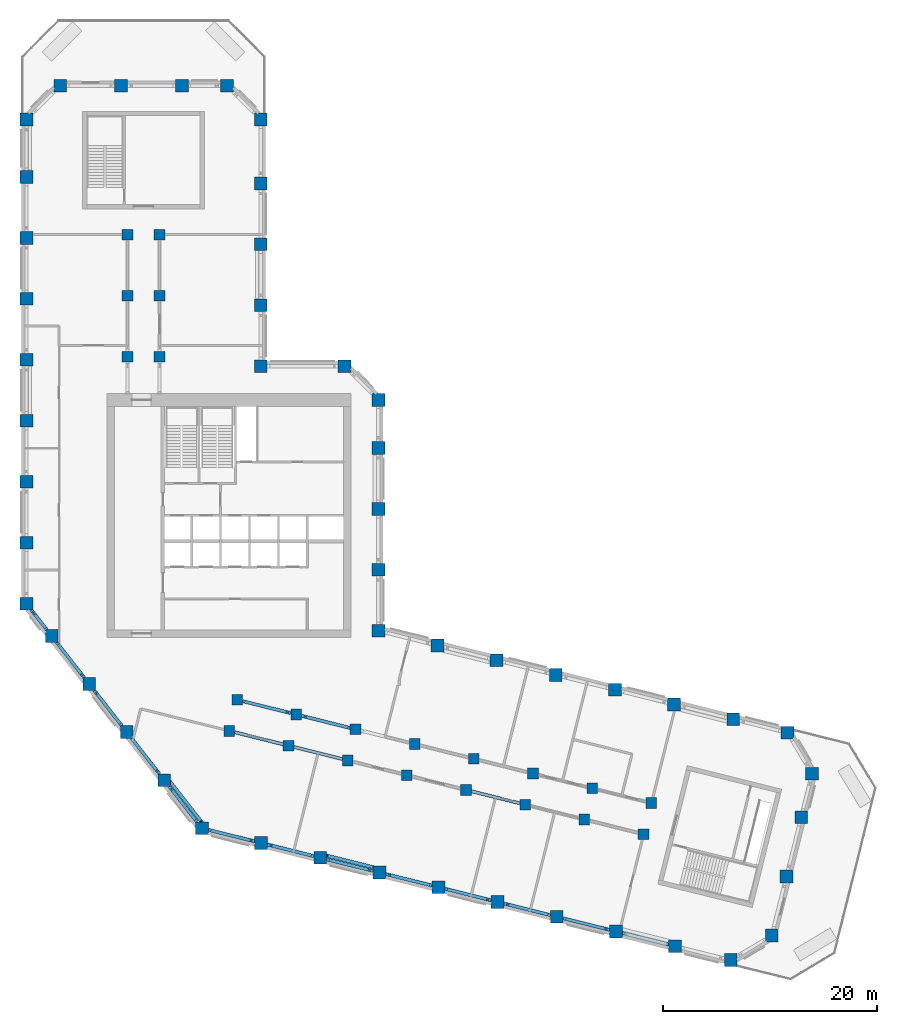
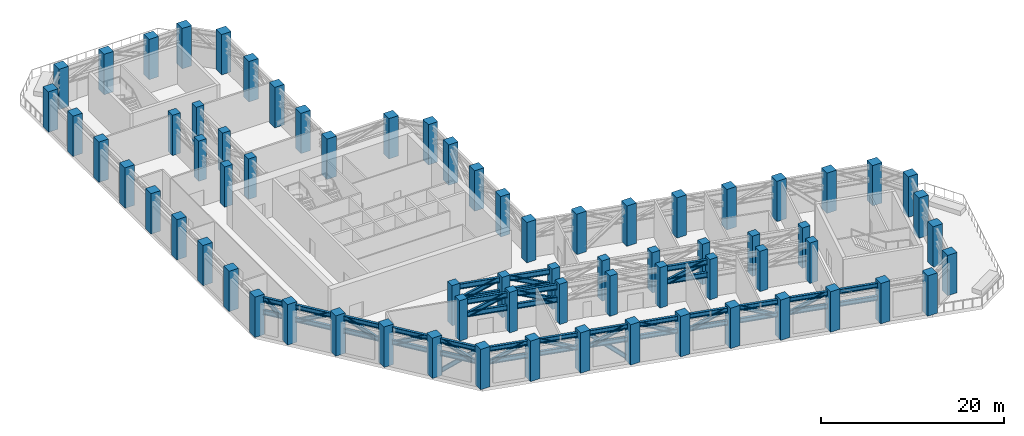
# One storey, part 1 of 14: 71 columns, 36 beams, 19 members.
"""IFC4 building model written with IfcOpenShell, lengths in metres."""

from ifc_helpers import new_model, si_unit, direction, frame, origin, origin_2d, place, context, subcontext, project, spatial, rectangle, i_section, extrude, material, material_profile, profile_set, type_object, element, save


model = new_model("IFC4")

# Units and contexts
model_context = context("Model", 3, precision=1e-05, world=origin(), true_north=direction((0.0, 1.0)))
body_context = subcontext(model_context, "Body", "Model", "MODEL_VIEW")
ifc_project = project(units=[si_unit("LENGTHUNIT", "METRE"), si_unit("AREAUNIT", "SQUARE_METRE"), si_unit("VOLUMEUNIT", "CUBIC_METRE"), si_unit("PLANEANGLEUNIT", "RADIAN"), si_unit("MASSUNIT", "GRAM", prefix="KILO")], contexts=[model_context])

# Site, building, storey
site_placement = place(None, origin())
site = spatial("IfcSite", under=ifc_project, at=site_placement, CompositionType="ELEMENT")
building_placement = place(site_placement, origin())
building = spatial("IfcBuilding", under=site, at=building_placement, Name="Meshkara Civic Tower", CompositionType="ELEMENT")
storey_placement = place(building_placement, frame((0.0, 0.0, 220.199951171875)))
storey = spatial("IfcBuildingStorey", under=building, at=storey_placement, Name="L50", CompositionType="ELEMENT", Elevation=220.199951171875)

# Columns
ifc_material_1 = material(Name="Concrete C70", Category="concrete")
ifc_material_profile_1 = material_profile(ifc_material_1, rectangle(XDim=1.0, YDim=1.0, at=origin_2d()))
ifc_profile_set_1 = profile_set([ifc_material_profile_1], Name="Concrete C70")
column_type_1 = type_object("IfcColumnType", Name="Interior column RC 1000x1000 C70", PredefinedType="COLUMN", material=ifc_profile_set_1)
for number, where, z_axis, x_axis, name in (
    (1, (9.89990234375, 40.35009765625, 0.0), (0.0, 0.0, 1.0), (1.0, 0.0, 0.0), "Column SA1-04 L50"),
    (2, (9.89990234375, 46.050048828125, 0.0), (0.0, 0.0, 1.0), (1.0, 0.0, 0.0), "Column SA1-05 L50"),
    (3, (9.89990234375, 51.75, 0.0), (0.0, 0.0, 1.0), (1.0, 0.0, 0.0), "Column SA1-06 L50"),
    (4, (12.89990234375, 40.35009765625, 0.0), (0.0, 0.0, 1.0), (1.0, 0.0, 0.0), "Column SA2-04 L50"),
    (5, (12.89990234375, 46.050048828125, 0.0), (0.0, 0.0, 1.0), (1.0, 0.0, 0.0), "Column SA2-05 L50"),
    (6, (12.89990234375, 51.75, 0.0), (0.0, 0.0, 1.0), (1.0, 0.0, 0.0), "Column SA2-06 L50"),
    (7, (19.424072265625, 5.360107421875, 0.0), (0.0, 0.0, 1.0), (1.0, 0.0, 0.0), "Column SB1-00 L50"),
    (8, (24.9541015625, 3.98095703125, 0.0), (0.0, 0.0, 1.0), (1.0, 0.0, 0.0), "Column SB1-01 L50"),
    (9, (30.485107421875, 2.60205078125, 0.0), (0.0, 0.0, 1.0), (1.0, 0.0, 0.0), "Column SB1-02 L50"),
    (10, (36.01611328125, 1.222900390625, 0.0), (0.0, 0.0, 1.0), (1.0, 0.0, 0.0), "Column SB1-03 L50"),
    (11, (41.5458984375, -0.156005859375, 0.0), (0.0, 0.0, 1.0), (1.0, 0.0, 0.0), "Column SB1-04 L50"),
    (12, (47.076904296875, -1.534912109375, 0.0), (0.0, 0.0, 1.0), (1.0, 0.0, 0.0), "Column SB1-05 L50"),
    (13, (52.60791015625, -2.9140625, 0.0), (0.0, 0.0, 1.0), (1.0, 0.0, 0.0), "Column SB1-06 L50"),
    (14, (58.138916015625, -4.2919921875, 0.0), (0.0, 0.0, 1.0), (1.0, 0.0, 0.0), "Column SB1-07 L50"),
    (15, (20.14892578125, 8.27099609375, 0.0), (0.0, 0.0, 1.0), (1.0, 0.0, 0.0), "Column SB2-00 L50"),
    (16, (25.679931640625, 6.89208984375, 0.0), (0.0, 0.0, 1.0), (1.0, 0.0, 0.0), "Column SB2-01 L50"),
    (17, (31.2109375, 5.512939453125, 0.0), (0.0, 0.0, 1.0), (1.0, 0.0, 0.0), "Column SB2-02 L50"),
    (18, (36.741943359375, 4.134033203125, 0.0), (0.0, 0.0, 1.0), (1.0, 0.0, 0.0), "Column SB2-03 L50"),
    (19, (42.27197265625, 2.7548828125, 0.0), (0.0, 0.0, 1.0), (1.0, 0.0, 0.0), "Column SB2-04 L50"),
    (20, (47.802978515625, 1.3759765625, 0.0), (0.0, 0.0, 1.0), (1.0, 0.0, 0.0), "Column SB2-05 L50"),
    (21, (53.333984375, -0.0029296875, 0.0), (0.0, 0.0, 1.0), (1.0, 0.0, 0.0), "Column SB2-06 L50"),
    (22, (58.864013671875, -1.382080078125, 0.0), (0.0, 0.0, 1.0), (1.0, 0.0, 0.0), "Column SB2-07 L50"),
):
    element("IfcColumn", number, at=place(storey_placement, frame(where, z_axis=z_axis, x_axis=x_axis)), inside=storey, type_object=column_type_1, Name=name, PredefinedType="COLUMN", context=body_context, shape_type="SweptSolid", body=[
        extrude(rectangle(XDim=1.0, YDim=1.0, at=origin_2d()), origin(), (0.0, 0.0, 1.0), 5.400146484375),
    ])
ifc_material_2 = material(Name="Concrete C70", Category="concrete")
ifc_material_profile_2 = material_profile(ifc_material_2, rectangle(XDim=1.199951171875, YDim=1.199951171875, at=origin_2d()))
ifc_profile_set_2 = profile_set([ifc_material_profile_2], Name="Concrete C70")
column_type_2 = type_object("IfcColumnType", Name="Perimeter column RC 1200x1200 C70", PredefinedType="COLUMN", material=ifc_profile_set_2)
for number, where, z_axis, x_axis, name in (
    (23, (33.35009765625, 14.718994140625, 0.0), (0.0, 0.0, 1.0), (1.0, 0.0, 0.0), "Column HE00 L50"),
    (24, (33.35009765625, 20.4189453125, 0.0), (0.0, 0.0, 1.0), (1.0, 0.0, 0.0), "Column HE01 L50"),
    (25, (33.35009765625, 26.118896484375, 0.0), (0.0, 0.0, 1.0), (1.0, 0.0, 0.0), "Column HE02 L50"),
    (26, (33.35009765625, 31.819091796875, 0.0), (0.0, 0.0, 1.0), (1.0, 0.0, 0.0), "Column HE03 L50"),
    (27, (33.35009765625, 36.2939453125, 0.0), (0.0, 0.0, 1.0), (1.0, 0.0, 0.0), "Column HEE L50"),
    (28, (30.194091796875, 39.449951171875, 0.0), (0.0, 0.0, 1.0), (1.0, 0.0, 0.0), "Column HCeE L50"),
    (29, (22.35009765625, 39.449951171875, 0.0), (0.0, 0.0, 1.0), (1.0, 0.0, 0.0), "Column HN00 L50"),
    (30, (22.35009765625, 45.14990234375, 0.0), (0.0, 0.0, 1.0), (1.0, 0.0, 0.0), "Column AE01 L50"),
    (31, (22.35009765625, 50.85009765625, 0.0), (0.0, 0.0, 1.0), (1.0, 0.0, 0.0), "Column AE02 L50"),
    (32, (22.35009765625, 56.550048828125, 0.0), (0.0, 0.0, 1.0), (1.0, 0.0, 0.0), "Column AE03 L50"),
    (33, (22.35009765625, 62.513916015625, 0.0), (0.0, 0.0, 1.0), (1.0, 0.0, 0.0), "Column AEEP3 L50"),
    (34, (19.194091796875, 65.669921875, 0.0), (0.0, 0.0, 1.0), (1.0, 0.0, 0.0), "Column ATiEP3 L50"),
    (35, (3.60595703125, 65.669921875, 0.0), (0.0, 0.0, 1.0), (1.0, 0.0, 0.0), "Column AT00-P3 L50"),
    (36, (9.305908203125, 65.669921875, 0.0), (0.0, 0.0, 1.0), (1.0, 0.0, 0.0), "Column AT01-P3 L50"),
    (37, (15.006103515625, 65.669921875, 0.0), (0.0, 0.0, 1.0), (1.0, 0.0, 0.0), "Column AT02-P3 L50"),
    (38, (0.449951171875, 62.513916015625, 0.0), (0.0, 0.0, 1.0), (1.0, 0.0, 0.0), "Column ATo00-P3 L50"),
    (39, (0.449951171875, 17.2548828125, 0.0), (0.0, 0.0, 1.0), (1.0, 0.0, 0.0), "Column AW00 L50"),
    (40, (0.449951171875, 22.955078125, 0.0), (0.0, 0.0, 1.0), (1.0, 0.0, 0.0), "Column AW01 L50"),
    (41, (0.449951171875, 28.655029296875, 0.0), (0.0, 0.0, 1.0), (1.0, 0.0, 0.0), "Column AW02 L50"),
    (42, (0.449951171875, 34.35498046875, 0.0), (0.0, 0.0, 1.0), (1.0, 0.0, 0.0), "Column AW03 L50"),
    (43, (0.449951171875, 40.054931640625, 0.0), (0.0, 0.0, 1.0), (1.0, 0.0, 0.0), "Column AW04 L50"),
    (44, (0.449951171875, 45.7548828125, 0.0), (0.0, 0.0, 1.0), (1.0, 0.0, 0.0), "Column AW05 L50"),
    (45, (0.449951171875, 51.455078125, 0.0), (0.0, 0.0, 1.0), (1.0, 0.0, 0.0), "Column AW06 L50"),
    (46, (0.449951171875, 57.155029296875, 0.0), (0.0, 0.0, 1.0), (1.0, 0.0, 0.0), "Column AW07 L50"),
    (47, (16.85107421875, -3.738037109375, 0.0), (0.0, 0.0, 1.0), (1.0, 0.0, 0.0), "Column BOW00 L50"),
    (48, (13.342041015625, 0.75390625, 0.0), (0.0, 0.0, 1.0), (1.0, 0.0, 0.0), "Column BOW01 L50"),
    (49, (9.8330078125, 5.2451171875, 0.0), (0.0, 0.0, 1.0), (1.0, 0.0, 0.0), "Column BOW02 L50"),
    (50, (6.322998046875, 9.737060546875, 0.0), (0.0, 0.0, 1.0), (1.0, 0.0, 0.0), "Column BOW03 L50"),
    (51, (2.81396484375, 14.22900390625, 0.0), (0.0, 0.0, 1.0), (1.0, 0.0, 0.0), "Column BOW04 L50"),
    (52, (22.382080078125, -5.116943359375, 0.0), (0.0, 0.0, 1.0), (1.0, 0.0, 0.0), "Column BS01 L50"),
    (53, (27.912109375, -6.49609375, 0.0), (0.0, 0.0, 1.0), (1.0, 0.0, 0.0), "Column BS02 L50"),
    (54, (33.443115234375, -7.875, 0.0), (0.0, 0.0, 1.0), (1.0, 0.0, 0.0), "Column BS03 L50"),
    (55, (38.97412109375, -9.2529296875, 0.0), (0.0, 0.0, 1.0), (1.0, 0.0, 0.0), "Column BS04-P1 L50"),
    (56, (44.5048828125, -10.632080078125, 0.0), (0.0, 0.0, 1.0), (1.0, 0.0, 0.0), "Column BS05 L50"),
    (57, (50.034912109375, -12.010986328125, 0.0), (0.0, 0.0, 1.0), (1.0, 0.0, 0.0), "Column BS06 L50"),
    (58, (55.56591796875, -13.389892578125, 0.0), (0.0, 0.0, 1.0), (1.0, 0.0, 0.0), "Column BS07 L50"),
    (59, (61.096923828125, -14.76904296875, 0.0), (0.0, 0.0, 1.0), (1.0, 0.0, 0.0), "Column BS08 L50"),
    (60, (66.2958984375, -16.06494140625, 0.0), (0.0, 0.0, 1.0), (1.0, 0.0, 0.0), "Column BSEP3 L50"),
    (61, (70.1220703125, -13.76611328125, 0.0), (0.0, 0.0, 1.0), (1.0, 0.0, 0.0), "Column BToEP3 L50"),
    (62, (71.5009765625, -8.235107421875, 0.0), (0.0, 0.0, 1.0), (1.0, 0.0, 0.0), "Column BT01-P3 L50"),
    (63, (72.8798828125, -2.705078125, 0.0), (0.0, 0.0, 1.0), (1.0, 0.0, 0.0), "Column BT02-P3 L50"),
    (64, (73.89306640625, 1.35791015625, 0.0), (0.0, 0.0, 1.0), (1.0, 0.0, 0.0), "Column BTEP3 L50"),
    (65, (71.593994140625, 5.18310546875, 0.0), (0.0, 0.0, 1.0), (1.0, 0.0, 0.0), "Column BTi00-P3 L50"),
    (66, (38.881103515625, 13.340087890625, 0.0), (0.0, 0.0, 1.0), (1.0, 0.0, 0.0), "Column BN01 L50"),
    (67, (44.410888671875, 11.9609375, 0.0), (0.0, 0.0, 1.0), (1.0, 0.0, 0.0), "Column BN02 L50"),
    (68, (49.94189453125, 10.58203125, 0.0), (0.0, 0.0, 1.0), (1.0, 0.0, 0.0), "Column BN03 L50"),
    (69, (55.472900390625, 9.202880859375, 0.0), (0.0, 0.0, 1.0), (1.0, 0.0, 0.0), "Column BN04 L50"),
    (70, (61.0029296875, 7.823974609375, 0.0), (0.0, 0.0, 1.0), (1.0, 0.0, 0.0), "Column BN05 L50"),
    (71, (66.533935546875, 6.445068359375, 0.0), (0.0, 0.0, 1.0), (1.0, 0.0, 0.0), "Column BN06 L50"),
):
    element("IfcColumn", number, at=place(storey_placement, frame(where, z_axis=z_axis, x_axis=x_axis)), inside=storey, type_object=column_type_2, Name=name, PredefinedType="COLUMN", context=body_context, shape_type="SweptSolid", body=[
        extrude(rectangle(XDim=1.199951171875, YDim=1.199951171875, at=origin_2d()), origin(), (0.0, 0.0, 1.0), 5.400146484375),
    ])

# Beams
ifc_material_3 = material(Name="Steel S355", Category="steel")
ifc_material_profile_3 = material_profile(ifc_material_3, i_section(OverallWidth=0.304931640625, OverallDepth=0.6201171875, WebThickness=0.02099609375, FlangeThickness=0.0400390625, FilletRadius=0.027099609375, at=origin_2d()))
ifc_profile_set_3 = profile_set([ifc_material_profile_3], Name="Steel S355")
beam_type_1 = type_object("IfcBeamType", Name="Belt truss chord HEM 600 S355", PredefinedType="BEAM", material=ifc_profile_set_3)
for number, where, z_axis, x_axis, name in (
    (72, (0.915771484375, 16.658935546875, 4.7900390625), (0.615646077935, -0.788022783124, 0.0), (0.788022783124, 0.615646077935, 0.0), "Belt truss chord BAW00-BOW04"),
    (73, (0.915771484375, 16.658935546875, 3.090087890625), (0.615646077935, -0.788022783124, 0.0), (0.788022783124, 0.615646077935, 0.0), "Belt truss chord BAW00-BOW04"),
):
    element("IfcBeam", number, at=place(storey_placement, frame(where, z_axis=z_axis, x_axis=x_axis)), inside=storey, type_object=beam_type_1, Name=name, PredefinedType="BEAM", context=body_context, shape_type="SweptSolid", body=[
        extrude(i_section(OverallWidth=0.304931640625, OverallDepth=0.6201171875, WebThickness=0.02099609375, FlangeThickness=0.0400390625, FilletRadius=0.027099609375, at=origin_2d()), origin(), (0.0, 0.0, 1.0), 2.326904296875),
    ])
for number, where, z_axis, x_axis, name in (
    (74, (3.279541015625, 13.6328125, 4.7900390625), (0.615630464754, -0.788034980738, 0.0), (0.788034980738, 0.615630464754, 0.0), "Belt truss chord BBOW04-BOW03"),
    (75, (3.279541015625, 13.6328125, 3.090087890625), (0.615630464754, -0.788034980738, 0.0), (0.788034980738, 0.615630464754, 0.0), "Belt truss chord BBOW04-BOW03"),
):
    element("IfcBeam", number, at=place(storey_placement, frame(where, z_axis=z_axis, x_axis=x_axis)), inside=storey, type_object=beam_type_1, Name=name, PredefinedType="BEAM", context=body_context, shape_type="SweptSolid", body=[
        extrude(i_section(OverallWidth=0.304931640625, OverallDepth=0.6201171875, WebThickness=0.02099609375, FlangeThickness=0.0400390625, FilletRadius=0.027099609375, at=origin_2d()), origin(), (0.0, 0.0, 1.0), 4.1875),
    ])
for number, where, z_axis, x_axis, name in (
    (76, (6.788818359375, 9.140869140625, 4.7900390625), (0.61570287025, -0.787978410596, 0.0), (0.787978410596, 0.61570287025, 0.0), "Belt truss chord BBOW03-BOW02"),
    (77, (6.788818359375, 9.140869140625, 3.090087890625), (0.61570287025, -0.787978410596, 0.0), (0.787978410596, 0.61570287025, 0.0), "Belt truss chord BBOW03-BOW02"),
):
    element("IfcBeam", number, at=place(storey_placement, frame(where, z_axis=z_axis, x_axis=x_axis)), inside=storey, type_object=beam_type_1, Name=name, PredefinedType="BEAM", context=body_context, shape_type="SweptSolid", body=[
        extrude(i_section(OverallWidth=0.304931640625, OverallDepth=0.6201171875, WebThickness=0.02099609375, FlangeThickness=0.0400390625, FilletRadius=0.027099609375, at=origin_2d()), origin(), (0.0, 0.0, 1.0), 4.187744140625),
    ])
for number, where, z_axis, x_axis, name in (
    (78, (10.298583984375, 4.64892578125, 4.7900390625), (0.615707413829, -0.787974860358, 0.0), (0.787974860358, 0.615707413829, 0.0), "Belt truss chord BBOW02-BOW01"),
    (79, (10.298583984375, 4.64892578125, 3.090087890625), (0.615707413829, -0.787974860358, 0.0), (0.787974860358, 0.615707413829, 0.0), "Belt truss chord BBOW02-BOW01"),
):
    element("IfcBeam", number, at=place(storey_placement, frame(where, z_axis=z_axis, x_axis=x_axis)), inside=storey, type_object=beam_type_1, Name=name, PredefinedType="BEAM", context=body_context, shape_type="SweptSolid", body=[
        extrude(i_section(OverallWidth=0.304931640625, OverallDepth=0.6201171875, WebThickness=0.02099609375, FlangeThickness=0.0400390625, FilletRadius=0.027099609375, at=origin_2d()), origin(), (0.0, 0.0, 1.0), 4.1865234375),
    ])
for number, where, z_axis, x_axis, name in (
    (80, (13.8076171875, 0.157958984375, 4.7900390625), (0.615630464754, -0.788034980738, 0.0), (0.788034980738, 0.615630464754, 0.0), "Belt truss chord BBOW01-BOW00"),
    (81, (13.8076171875, 0.157958984375, 3.090087890625), (0.615630464754, -0.788034980738, 0.0), (0.788034980738, 0.615630464754, 0.0), "Belt truss chord BBOW01-BOW00"),
):
    element("IfcBeam", number, at=place(storey_placement, frame(where, z_axis=z_axis, x_axis=x_axis)), inside=storey, type_object=beam_type_1, Name=name, PredefinedType="BEAM", context=body_context, shape_type="SweptSolid", body=[
        extrude(i_section(OverallWidth=0.304931640625, OverallDepth=0.6201171875, WebThickness=0.02099609375, FlangeThickness=0.0400390625, FilletRadius=0.027099609375, at=origin_2d()), origin(), (0.0, 0.0, 1.0), 4.1875),
    ])
for number, where, z_axis, x_axis, name in (
    (82, (17.446044921875, -3.886474609375, 4.7900390625), (0.970309199754, -0.241867850018, 0.0), (0.241867850018, 0.970309199754, 0.0), "Belt truss chord BBOW00-BS01"),
    (83, (17.446044921875, -3.886474609375, 3.090087890625), (0.970309199754, -0.241867850018, 0.0), (0.241867850018, 0.970309199754, 0.0), "Belt truss chord BBOW00-BS01"),
):
    element("IfcBeam", number, at=place(storey_placement, frame(where, z_axis=z_axis, x_axis=x_axis)), inside=storey, type_object=beam_type_1, Name=name, PredefinedType="BEAM", context=body_context, shape_type="SweptSolid", body=[
        extrude(i_section(OverallWidth=0.304931640625, OverallDepth=0.6201171875, WebThickness=0.02099609375, FlangeThickness=0.0400390625, FilletRadius=0.027099609375, at=origin_2d()), origin(), (0.0, 0.0, 1.0), 4.4736328125),
    ])
for number, where, z_axis, x_axis, name in (
    (84, (22.97705078125, -5.265380859375, 4.7900390625), (0.970283611566, -0.241970479865, 0.0), (0.241970479865, 0.970283611566, 0.0), "Belt truss chord BBS01-BS02"),
    (85, (22.97705078125, -5.265380859375, 3.090087890625), (0.970283611566, -0.241970479865, 0.0), (0.241970479865, 0.970283611566, 0.0), "Belt truss chord BBS01-BS02"),
):
    element("IfcBeam", number, at=place(storey_placement, frame(where, z_axis=z_axis, x_axis=x_axis)), inside=storey, type_object=beam_type_1, Name=name, PredefinedType="BEAM", context=body_context, shape_type="SweptSolid", body=[
        extrude(i_section(OverallWidth=0.304931640625, OverallDepth=0.6201171875, WebThickness=0.02099609375, FlangeThickness=0.0400390625, FilletRadius=0.027099609375, at=origin_2d()), origin(), (0.0, 0.0, 1.0), 4.47265625),
    ])
for number, where, z_axis, x_axis, name in (
    (86, (28.507080078125, -6.644287109375, 4.7900390625), (0.970296390995, -0.241919229543, 0.0), (0.241919229543, 0.970296390995, 0.0), "Belt truss chord BBS02-BS03"),
    (87, (28.507080078125, -6.644287109375, 3.090087890625), (0.970296390995, -0.241919229543, 0.0), (0.241919229543, 0.970296390995, 0.0), "Belt truss chord BBS02-BS03"),
    (88, (34.0380859375, -8.023193359375, 4.7900390625), (0.970334810126, -0.241765084863, 0.0), (0.241765084863, 0.970334810126, 0.0), "Belt truss chord BBS03-BS04-P1"),
    (89, (34.0380859375, -8.023193359375, 3.090087890625), (0.970334810126, -0.241765084863, 0.0), (0.241765084863, 0.970334810126, 0.0), "Belt truss chord BBS03-BS04-P1"),
    (90, (39.569091796875, -9.4013671875, 4.7900390625), (0.970296390995, -0.241919229543, 0.0), (0.241919229543, 0.970296390995, 0.0), "Belt truss chord BBS04-P1-BS05"),
    (91, (39.569091796875, -9.4013671875, 3.090087890625), (0.970296390995, -0.241919229543, 0.0), (0.241919229543, 0.970296390995, 0.0), "Belt truss chord BBS04-P1-BS05"),
):
    element("IfcBeam", number, at=place(storey_placement, frame(where, z_axis=z_axis, x_axis=x_axis)), inside=storey, type_object=beam_type_1, Name=name, PredefinedType="BEAM", context=body_context, shape_type="SweptSolid", body=[
        extrude(i_section(OverallWidth=0.304931640625, OverallDepth=0.6201171875, WebThickness=0.02099609375, FlangeThickness=0.0400390625, FilletRadius=0.027099609375, at=origin_2d()), origin(), (0.0, 0.0, 1.0), 4.4736328125),
    ])
for number, where, z_axis, x_axis, name in (
    (92, (45.10009765625, -10.780517578125, 4.7900390625), (0.970296425585, -0.241919090807, 0.0), (0.241919090807, 0.970296425585, 0.0), "Belt truss chord BBS05-BS06"),
    (93, (45.10009765625, -10.780517578125, 3.090087890625), (0.970296425585, -0.241919090807, 0.0), (0.241919090807, 0.970296425585, 0.0), "Belt truss chord BBS05-BS06"),
):
    element("IfcBeam", number, at=place(storey_placement, frame(where, z_axis=z_axis, x_axis=x_axis)), inside=storey, type_object=beam_type_1, Name=name, PredefinedType="BEAM", context=body_context, shape_type="SweptSolid", body=[
        extrude(i_section(OverallWidth=0.304931640625, OverallDepth=0.6201171875, WebThickness=0.02099609375, FlangeThickness=0.0400390625, FilletRadius=0.027099609375, at=origin_2d()), origin(), (0.0, 0.0, 1.0), 4.47265625),
    ])
for number, where, z_axis, x_axis, name in (
    (94, (50.630126953125, -12.159423828125, 4.7900390625), (0.970296390995, -0.241919229543, 0.0), (0.241919229543, 0.970296390995, 0.0), "Belt truss chord BBS06-BS07"),
    (95, (50.630126953125, -12.159423828125, 3.090087890625), (0.970296390995, -0.241919229543, 0.0), (0.241919229543, 0.970296390995, 0.0), "Belt truss chord BBS06-BS07"),
    (96, (56.1611328125, -13.538330078125, 4.7900390625), (0.970296390995, -0.241919229543, 0.0), (0.241919229543, 0.970296390995, 0.0), "Belt truss chord BBS07-BS08"),
    (97, (56.1611328125, -13.538330078125, 3.090087890625), (0.970296390995, -0.241919229543, 0.0), (0.241919229543, 0.970296390995, 0.0), "Belt truss chord BBS07-BS08"),
):
    element("IfcBeam", number, at=place(storey_placement, frame(where, z_axis=z_axis, x_axis=x_axis)), inside=storey, type_object=beam_type_1, Name=name, PredefinedType="BEAM", context=body_context, shape_type="SweptSolid", body=[
        extrude(i_section(OverallWidth=0.304931640625, OverallDepth=0.6201171875, WebThickness=0.02099609375, FlangeThickness=0.0400390625, FilletRadius=0.027099609375, at=origin_2d()), origin(), (0.0, 0.0, 1.0), 4.4736328125),
    ])
ifc_material_4 = material(Name="Steel S355", Category="steel")
ifc_material_profile_4 = material_profile(ifc_material_4, i_section(OverallWidth=0.300048828125, OverallDepth=0.699951171875, WebThickness=0.01708984375, FlangeThickness=0.031982421875, FilletRadius=0.027099609375, at=origin_2d()))
ifc_profile_set_4 = profile_set([ifc_material_profile_4], Name="Steel S355")
beam_type_2 = type_object("IfcBeamType", Name="Outrigger chord HEB 700 S355", PredefinedType="BEAM", material=ifc_profile_set_4)
for number, where, z_axis, x_axis, name in (
    (98, (19.919189453125, 5.236572265625, 4.75), (0.970286590806, -0.241958533023, 0.0), (0.241958533023, 0.970286590806, 0.0), "Outrigger chord OSB1-SB1-00-SB1-01"),
    (99, (19.919189453125, 5.236572265625, 3.050048828125), (0.970286590806, -0.241958533023, 0.0), (0.241958533023, 0.970286590806, 0.0), "Outrigger chord OSB1-SB1-00-SB1-01"),
):
    element("IfcBeam", number, at=place(storey_placement, frame(where, z_axis=z_axis, x_axis=x_axis)), inside=storey, type_object=beam_type_2, Name=name, PredefinedType="BEAM", context=body_context, shape_type="SweptSolid", body=[
        extrude(i_section(OverallWidth=0.300048828125, OverallDepth=0.699951171875, WebThickness=0.01708984375, FlangeThickness=0.031982421875, FilletRadius=0.027099609375, at=origin_2d()), origin(), (0.0, 0.0, 1.0), 4.6787109375),
    ])
for number, where, z_axis, x_axis, name in (
    (100, (25.44921875, 3.857421875, 4.75), (0.970311050729, -0.24186042428, 0.0), (0.24186042428, 0.970311050729, 0.0), "Outrigger chord OSB1-SB1-01-SB1-02"),
    (101, (25.44921875, 3.857421875, 3.050048828125), (0.970311050729, -0.24186042428, 0.0), (0.24186042428, 0.970311050729, 0.0), "Outrigger chord OSB1-SB1-01-SB1-02"),
    (102, (42.041015625, -0.279541015625, 4.75), (0.970298806378, -0.241909541651, 0.0), (0.241909541651, 0.970298806378, 0.0), "Outrigger chord OSB1-SB1-04-SB1-05"),
    (103, (42.041015625, -0.279541015625, 3.050048828125), (0.970298806378, -0.241909541651, 0.0), (0.241909541651, 0.970298806378, 0.0), "Outrigger chord OSB1-SB1-04-SB1-05"),
    (104, (20.64404296875, 8.1474609375, 4.75), (0.970298806378, -0.241909541651, 0.0), (0.241909541651, 0.970298806378, 0.0), "Outrigger chord OSB2-SB2-00-SB2-01"),
    (105, (20.64404296875, 8.1474609375, 3.050048828125), (0.970298806378, -0.241909541651, 0.0), (0.241909541651, 0.970298806378, 0.0), "Outrigger chord OSB2-SB2-00-SB2-01"),
    (106, (26.175048828125, 6.7685546875, 4.75), (0.970298806378, -0.241909541651, 0.0), (0.241909541651, 0.970298806378, 0.0), "Outrigger chord OSB2-SB2-01-SB2-02"),
    (107, (26.175048828125, 6.7685546875, 3.050048828125), (0.970298806378, -0.241909541651, 0.0), (0.241909541651, 0.970298806378, 0.0), "Outrigger chord OSB2-SB2-01-SB2-02"),
):
    element("IfcBeam", number, at=place(storey_placement, frame(where, z_axis=z_axis, x_axis=x_axis)), inside=storey, type_object=beam_type_2, Name=name, PredefinedType="BEAM", context=body_context, shape_type="SweptSolid", body=[
        extrude(i_section(OverallWidth=0.300048828125, OverallDepth=0.699951171875, WebThickness=0.01708984375, FlangeThickness=0.031982421875, FilletRadius=0.027099609375, at=origin_2d()), origin(), (0.0, 0.0, 1.0), 4.6796875),
    ])

# Members
ifc_material_5 = material(Name="Steel S355", Category="steel")
ifc_material_profile_5 = material_profile(ifc_material_5, i_section(OverallWidth=0.300048828125, OverallDepth=0.590087890625, WebThickness=0.012939453125, FlangeThickness=0.02490234375, FilletRadius=0.027099609375, at=origin_2d()))
ifc_profile_set_5 = profile_set([ifc_material_profile_5], Name="Steel S355")
member_type_1 = type_object("IfcMemberType", Name="Truss diagonal HEA 600 S355", PredefinedType="BRACE", material=ifc_profile_set_5)
member_1_placement = place(storey_placement, frame((20.2587890625, 5.15185546875, 3.050048828125), z_axis=(0.892263304857, -0.222487460384, 0.392893783072), x_axis=(0.241943633537, 0.970290306141, 0.0)))
element("IfcMember", 108, at=member_1_placement, inside=storey, type_object=member_type_1, Name="TD-OSB1-SB1-00-SB1-01-L50", PredefinedType="BRACE", context=body_context, shape_type="SweptSolid", body=[
    extrude(i_section(OverallWidth=0.300048828125, OverallDepth=0.590087890625, WebThickness=0.012939453125, FlangeThickness=0.02490234375, FilletRadius=0.027099609375, at=origin_2d()), origin(), (0.0, 0.0, 1.0), 4.32666015625),
])
for number, where, z_axis, x_axis, name in (
    (109, (25.788818359375, 3.77294921875, 4.75), (0.892286607273, -0.222507484768, -0.392829517352), (0.241958185146, 0.970286677555, 0.0), "TD-OSB1-SB1-01-SB1-02-L50"),
    (110, (42.380859375, -0.364013671875, 3.050048828125), (0.892286607273, -0.222507484768, 0.392829517352), (0.241958185146, 0.970286677555, 0.0), "TD-OSB1-SB1-04-SB1-05-L50"),
    (111, (20.98388671875, 8.06298828125, 3.050048828125), (0.892286607273, -0.222507484768, 0.392829517352), (0.241958185146, 0.970286677555, 0.0), "TD-OSB2-SB2-00-SB2-01-L50"),
    (112, (26.514892578125, 6.683837890625, 4.75), (0.892297807062, -0.22245386022, -0.392834448064), (0.241900427004, 0.970301078746, 0.0), "TD-OSB2-SB2-01-SB2-02-L50"),
):
    element("IfcMember", number, at=place(storey_placement, frame(where, z_axis=z_axis, x_axis=x_axis)), inside=storey, type_object=member_type_1, Name=name, PredefinedType="BRACE", context=body_context, shape_type="SweptSolid", body=[
        extrude(i_section(OverallWidth=0.300048828125, OverallDepth=0.590087890625, WebThickness=0.012939453125, FlangeThickness=0.02490234375, FilletRadius=0.027099609375, at=origin_2d()), origin(), (0.0, 0.0, 1.0), 4.327392578125),
    ])
ifc_material_6 = material(Name="Steel S355", Category="steel")
ifc_material_profile_6 = material_profile(ifc_material_6, i_section(OverallWidth=0.300048828125, OverallDepth=0.5, WebThickness=0.014404296875, FlangeThickness=0.028076171875, FilletRadius=0.027099609375, at=origin_2d()))
ifc_profile_set_6 = profile_set([ifc_material_profile_6], Name="Steel S355")
member_type_2 = type_object("IfcMemberType", Name="Truss diagonal HEB 500 S355", PredefinedType="BRACE", material=ifc_profile_set_6)
member_2_placement = place(storey_placement, frame((1.131103515625, 16.383056640625, 4.7900390625), z_axis=(0.425686812207, -0.544895719647, -0.722412204094), x_axis=(0.788033472756, 0.615632395034, 0.0)))
element("IfcMember", 113, at=member_2_placement, inside=storey, type_object=member_type_2, Name="TD-BAW00-BOW04-L50", PredefinedType="BRACE", context=body_context, shape_type="SweptSolid", body=[
    extrude(i_section(OverallWidth=0.300048828125, OverallDepth=0.5, WebThickness=0.014404296875, FlangeThickness=0.028076171875, FilletRadius=0.027099609375, at=origin_2d()), origin(), (0.0, 0.0, 1.0), 2.353271484375),
])
for number, where, z_axis, x_axis, name in (
    (114, (3.4951171875, 13.357177734375, 3.090087890625), (0.553336034313, -0.708393465058, 0.438175685991), (0.788076377826, 0.615577470927, 0.0), "TD-BBOW04-BOW03-L50"),
    (115, (7.00439453125, 8.864990234375, 4.7900390625), (0.553448016059, -0.708312776436, -0.438164699922), (0.787981918545, 0.61569838074, 0.0), "TD-BBOW03-BOW02-L50"),
):
    element("IfcMember", number, at=place(storey_placement, frame(where, z_axis=z_axis, x_axis=x_axis)), inside=storey, type_object=member_type_2, Name=name, PredefinedType="BRACE", context=body_context, shape_type="SweptSolid", body=[
        extrude(i_section(OverallWidth=0.300048828125, OverallDepth=0.5, WebThickness=0.014404296875, FlangeThickness=0.028076171875, FilletRadius=0.027099609375, at=origin_2d()), origin(), (0.0, 0.0, 1.0), 3.879638671875),
    ])
member_3_placement = place(storey_placement, frame((10.51416015625, 4.373046875, 3.090087890625), z_axis=(0.553459382884, -0.708236662824, 0.438273363246), x_axis=(0.787943680917, 0.615747314816, 0.0)))
element("IfcMember", 116, at=member_3_placement, inside=storey, type_object=member_type_2, Name="TD-BBOW02-BOW01-L50", PredefinedType="BRACE", context=body_context, shape_type="SweptSolid", body=[
    extrude(i_section(OverallWidth=0.300048828125, OverallDepth=0.5, WebThickness=0.014404296875, FlangeThickness=0.028076171875, FilletRadius=0.027099609375, at=origin_2d()), origin(), (0.0, 0.0, 1.0), 3.878662109375),
])
member_4_placement = place(storey_placement, frame((14.023193359375, -0.117919921875, 4.7900390625), z_axis=(0.553336034313, -0.708393465058, -0.438175685991), x_axis=(0.788076377826, 0.615577470927, 0.0)))
element("IfcMember", 117, at=member_4_placement, inside=storey, type_object=member_type_2, Name="TD-BBOW01-BOW00-L50", PredefinedType="BRACE", context=body_context, shape_type="SweptSolid", body=[
    extrude(i_section(OverallWidth=0.300048828125, OverallDepth=0.5, WebThickness=0.014404296875, FlangeThickness=0.028076171875, FilletRadius=0.027099609375, at=origin_2d()), origin(), (0.0, 0.0, 1.0), 3.879638671875),
])
member_5_placement = place(storey_placement, frame((17.785888671875, -3.97119140625, 3.090087890625), z_axis=(0.884680965884, -0.220506598018, 0.410751054574), x_axis=(0.24185050036, 0.970313524319, 0.0)))
element("IfcMember", 118, at=member_5_placement, inside=storey, type_object=member_type_2, Name="TD-BBOW00-BS01-L50", PredefinedType="BRACE", context=body_context, shape_type="SweptSolid", body=[
    extrude(i_section(OverallWidth=0.300048828125, OverallDepth=0.5, WebThickness=0.014404296875, FlangeThickness=0.028076171875, FilletRadius=0.027099609375, at=origin_2d()), origin(), (0.0, 0.0, 1.0), 4.138671875),
])
member_6_placement = place(storey_placement, frame((23.316650390625, -5.35009765625, 4.7900390625), z_axis=(0.884630981745, -0.220597254952, -0.410810025736), x_axis=(0.241956983323, 0.97028697725, 0.0)))
element("IfcMember", 119, at=member_6_placement, inside=storey, type_object=member_type_2, Name="TD-BBS01-BS02-L50", PredefinedType="BRACE", context=body_context, shape_type="SweptSolid", body=[
    extrude(i_section(OverallWidth=0.300048828125, OverallDepth=0.5, WebThickness=0.014404296875, FlangeThickness=0.028076171875, FilletRadius=0.027099609375, at=origin_2d()), origin(), (0.0, 0.0, 1.0), 4.137939453125),
])
member_7_placement = place(storey_placement, frame((28.8466796875, -6.72900390625, 3.090087890625), z_axis=(0.884682277823, -0.22055120928, 0.410724276602), x_axis=(0.241896229252, 0.970302125255, 0.0)))
element("IfcMember", 120, at=member_7_placement, inside=storey, type_object=member_type_2, Name="TD-BBS02-BS03-L50", PredefinedType="BRACE", context=body_context, shape_type="SweptSolid", body=[
    extrude(i_section(OverallWidth=0.300048828125, OverallDepth=0.5, WebThickness=0.014404296875, FlangeThickness=0.028076171875, FilletRadius=0.027099609375, at=origin_2d()), origin(), (0.0, 0.0, 1.0), 4.138916015625),
])
member_8_placement = place(storey_placement, frame((34.377685546875, -8.10791015625, 4.7900390625), z_axis=(0.884716794037, -0.220382847215, -0.410740301166), x_axis=(0.241713486808, 0.970347664652, 0.0)))
element("IfcMember", 121, at=member_8_placement, inside=storey, type_object=member_type_2, Name="TD-BBS03-BS04-P1-L50", PredefinedType="BRACE", context=body_context, shape_type="SweptSolid", body=[
    extrude(i_section(OverallWidth=0.300048828125, OverallDepth=0.5, WebThickness=0.014404296875, FlangeThickness=0.028076171875, FilletRadius=0.027099609375, at=origin_2d()), origin(), (0.0, 0.0, 1.0), 4.138671875),
])
member_9_placement = place(storey_placement, frame((39.90869140625, -9.486083984375, 3.090087890625), z_axis=(0.884682277823, -0.22055120928, 0.410724276602), x_axis=(0.241896229252, 0.970302125255, 0.0)))
element("IfcMember", 122, at=member_9_placement, inside=storey, type_object=member_type_2, Name="TD-BBS04-P1-BS05-L50", PredefinedType="BRACE", context=body_context, shape_type="SweptSolid", body=[
    extrude(i_section(OverallWidth=0.300048828125, OverallDepth=0.5, WebThickness=0.014404296875, FlangeThickness=0.028076171875, FilletRadius=0.027099609375, at=origin_2d()), origin(), (0.0, 0.0, 1.0), 4.138916015625),
])
member_10_placement = place(storey_placement, frame((45.439697265625, -10.864990234375, 4.7900390625), z_axis=(0.884630981745, -0.220597254952, -0.410810025736), x_axis=(0.241956983323, 0.97028697725, 0.0)))
element("IfcMember", 123, at=member_10_placement, inside=storey, type_object=member_type_2, Name="TD-BBS05-BS06-L50", PredefinedType="BRACE", context=body_context, shape_type="SweptSolid", body=[
    extrude(i_section(OverallWidth=0.300048828125, OverallDepth=0.5, WebThickness=0.014404296875, FlangeThickness=0.028076171875, FilletRadius=0.027099609375, at=origin_2d()), origin(), (0.0, 0.0, 1.0), 4.137939453125),
])
member_11_placement = place(storey_placement, frame((50.9697265625, -12.244140625, 3.090087890625), z_axis=(0.884669456815, -0.220562719146, 0.410745710996), x_axis=(0.241911414998, 0.970298339323, 0.0)))
element("IfcMember", 124, at=member_11_placement, inside=storey, type_object=member_type_2, Name="TD-BBS06-BS07-L50", PredefinedType="BRACE", context=body_context, shape_type="SweptSolid", body=[
    extrude(i_section(OverallWidth=0.300048828125, OverallDepth=0.5, WebThickness=0.014404296875, FlangeThickness=0.028076171875, FilletRadius=0.027099609375, at=origin_2d()), origin(), (0.0, 0.0, 1.0), 4.138671875),
])
member_12_placement = place(storey_placement, frame((13.900146484375, 0.591796875, 0.35009765625), z_axis=(0.45797072564, -0.58628296109, 0.668232821696), x_axis=(0.788065349403, 0.615591589506, 0.0)))
element("IfcMember", 125, at=member_12_placement, inside=storey, type_object=member_type_2, Name="TD-XBOW01-BOW00-L50", PredefinedType="BRACE", context=body_context, shape_type="SweptSolid", body=[
    extrude(i_section(OverallWidth=0.300048828125, OverallDepth=0.5, WebThickness=0.014404296875, FlangeThickness=0.028076171875, FilletRadius=0.027099609375, at=origin_2d()), origin(), (0.0, 0.0, 1.0), 6.43505859375),
])
member_13_placement = place(storey_placement, frame((28.468017578125, -6.2841796875, 4.650146484375), z_axis=(0.716837235639, -0.17873100927, -0.673943323973), x_axis=(0.241926244909, 0.970294641861, 0.0)))
element("IfcMember", 126, at=member_13_placement, inside=storey, type_object=member_type_2, Name="TD-XBS02-BS03-L50", PredefinedType="BRACE", context=body_context, shape_type="SweptSolid", body=[
    extrude(i_section(OverallWidth=0.300048828125, OverallDepth=0.5, WebThickness=0.014404296875, FlangeThickness=0.028076171875, FilletRadius=0.027099609375, at=origin_2d()), origin(), (0.0, 0.0, 1.0), 6.38037109375),
])

save(model, "model.ifc")
